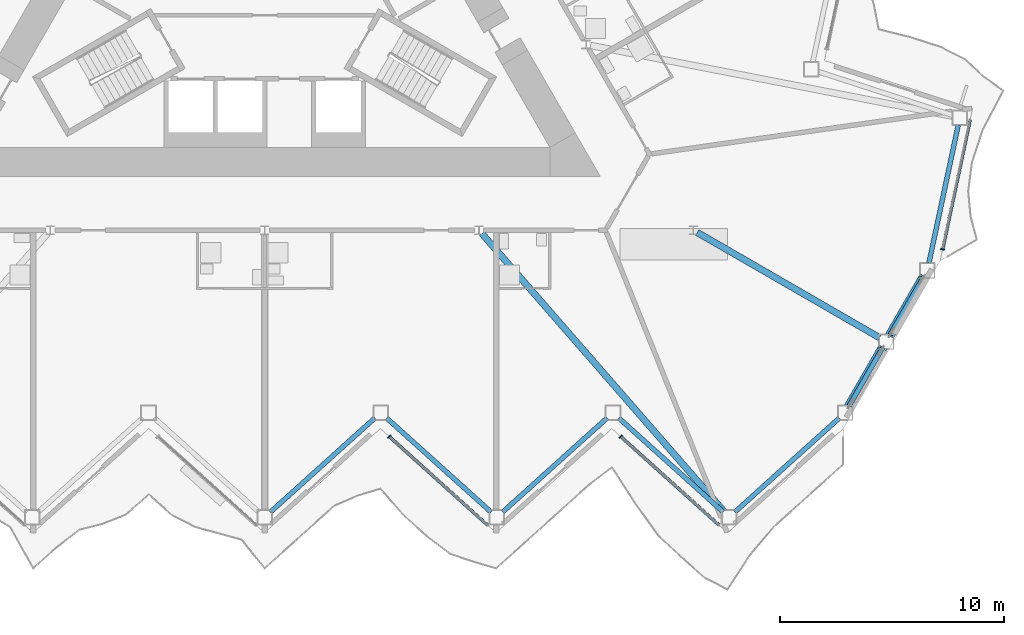
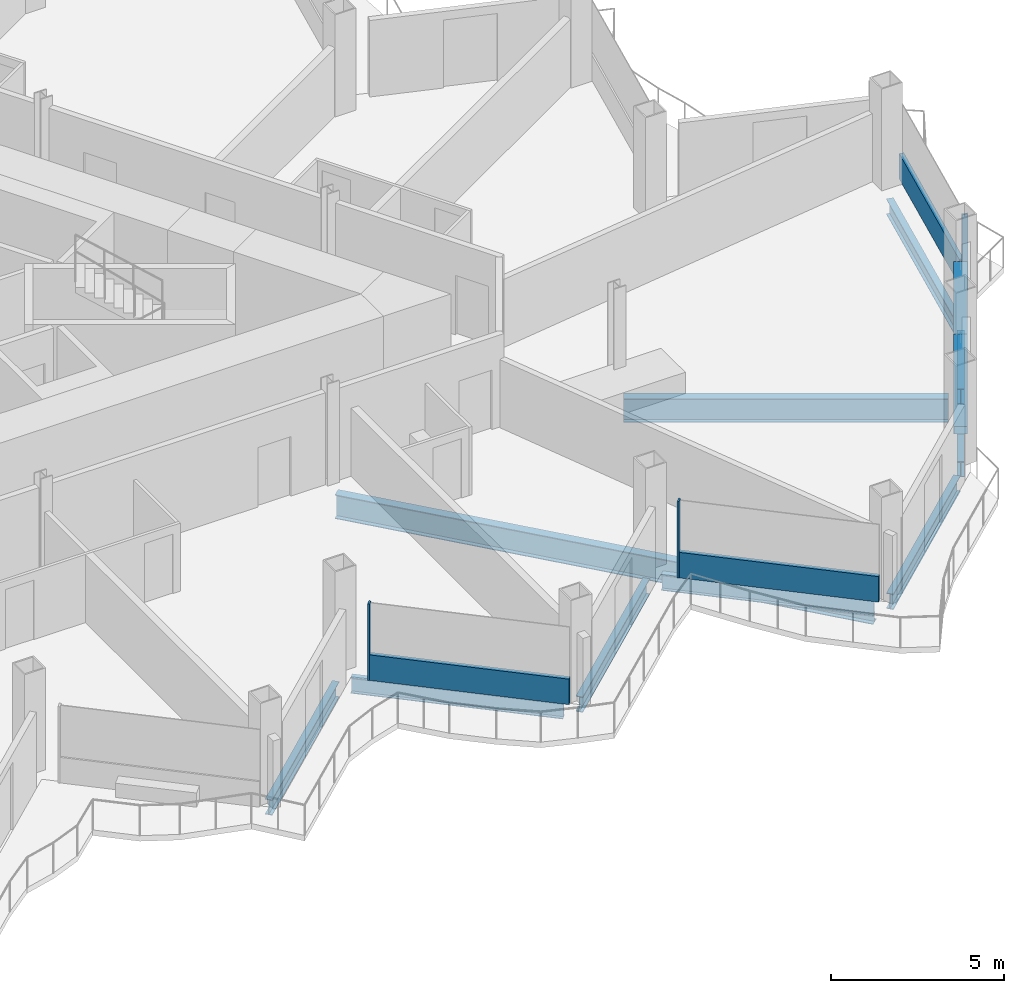
# One storey, part 6 of 24: 10 beams, 8 members, 3 elements without a shape of their own.
"""IFC4 building model written with IfcOpenShell, lengths in metres."""

from ifc_helpers import new_model, si_unit, direction, frame, origin, origin_2d, place, context, subcontext, project, spatial, rectangle, hollow_rectangle, i_section, extrude, material, layer, layer_set, material_profile, profile_set, type_object, element, aggregate, save


model = new_model("IFC4")

# Units and contexts
model_context = context("Model", 3, precision=1e-05, world=origin(), true_north=direction((0.0, 1.0)))
body_context = subcontext(model_context, "Body", "Model", "MODEL_VIEW")
ifc_project = project(units=[si_unit("LENGTHUNIT", "METRE"), si_unit("AREAUNIT", "SQUARE_METRE"), si_unit("VOLUMEUNIT", "CUBIC_METRE"), si_unit("PLANEANGLEUNIT", "RADIAN"), si_unit("MASSUNIT", "GRAM", prefix="KILO")], contexts=[model_context])

# Site, building, storey
site_placement = place(None, origin())
site = spatial("IfcSite", under=ifc_project, at=site_placement, CompositionType="ELEMENT")
building_placement = place(site_placement, origin())
building = spatial("IfcBuilding", under=site, at=building_placement, Name="Cormorant Prow Tower", CompositionType="ELEMENT")
storey_placement = place(building_placement, frame((0.0, 0.0, 234.60009765625)))
storey = spatial("IfcBuildingStorey", under=building, at=storey_placement, Name="L51", CompositionType="ELEMENT", Elevation=234.60009765625)

# Members
ifc_material_1 = material(Name="Structural steel ASTM A500 Gr C", Category="steel")
ifc_material_profile_1 = material_profile(ifc_material_1, hollow_rectangle(XDim=0.406494140625, YDim=0.406494140625, WallThickness=0.01171875, at=origin_2d()), Name="HSS16x16x1/2")
ifc_profile_set_1 = profile_set([ifc_material_profile_1], Name="Structural steel ASTM A500 Gr C")
member_type_1 = type_object("IfcMemberType", Name="Chamfer brace HSS16x16x1/2", PredefinedType="BRACE", material=ifc_profile_set_1)
for number, where, z_axis, x_axis, name in (
    (1, (26.1240234375, -18.898681640625, 0.74951171875), (0.462773096913, 0.801606962687, 0.378506721399), (-0.866041729639, 0.499971721724, 0.0), "Chamfer brace BR2 at ESE00 L51"),
    (2, (27.959228515625, -15.719970703125, 0.74951171875), (0.462773096913, 0.801606962687, 0.378506721399), (-0.866041729639, 0.499971721724, 0.0), "Chamfer brace BR2 at ESE01 L51"),
):
    element("IfcMember", number, at=place(storey_placement, frame(where, z_axis=z_axis, x_axis=x_axis)), inside=storey, type_object=member_type_1, Name=name, PredefinedType="BRACE", context=body_context, shape_type="SweptSolid", body=[
        extrude(hollow_rectangle(XDim=0.406494140625, YDim=0.406494140625, WallThickness=0.01171875, at=origin_2d()), origin(), (0.0, 0.0, 1.0), 3.17529296875),
    ])

# Curtain wall, member
ifc_material_2 = material(Name="Aluminium 6063-T6", Category="aluminium")
ifc_layer = layer(ifc_material_2, 0.179931640625)
ifc_layer_set = layer_set([ifc_layer], Name="Aluminium 6063-T6")
curtain_wall_type = type_object("IfcCurtainWallType", Name="Hotel unitised curtain wall 180", PredefinedType="NOTDEFINED", material=ifc_layer_set)
curtain_wall_1_placement = place(storey_placement, origin())
curtain_wall_1 = element("IfcCurtainWall", 3, at=curtain_wall_1_placement, inside=storey, type_object=curtain_wall_type, Name="Hotel curtain wall S06", PredefinedType="NOTDEFINED")
ifc_material_3 = material(Name="Aluminium 6063-T6", Category="aluminium")
ifc_material_profile_2 = material_profile(ifc_material_3, rectangle(XDim=0.179931640625, YDim=0.06005859375, at=origin_2d()), Name="Hotel mullion 60x180")
ifc_profile_set_2 = profile_set([ifc_material_profile_2], Name="Aluminium 6063-T6")
member_type_2 = type_object("IfcMemberType", Name="Hotel mullion 60x180", PredefinedType="MULLION", material=ifc_profile_set_2)
member_1_placement = place(storey_placement, frame((5.56640625, -20.278076171875, 0.0), z_axis=(0.0, 0.0, 1.0), x_axis=(0.669130639913, 0.743144795265, 0.0)))
member_1 = element("IfcMember", 4, at=member_1_placement, type_object=member_type_2, Name="Hotel mullion S06", PredefinedType="MULLION", context=body_context, shape_type="SweptSolid", body=[
    extrude(rectangle(XDim=0.179931640625, YDim=0.06005859375, at=origin_2d()), origin(), (0.0, 0.0, 1.0), 2.70068359375),
])

curtain_wall_2_placement = place(storey_placement, origin())
curtain_wall_2 = element("IfcCurtainWall", 5, at=curtain_wall_2_placement, inside=storey, type_object=curtain_wall_type, Name="Hotel curtain wall S08", PredefinedType="NOTDEFINED")
member_2_placement = place(storey_placement, frame((15.910400390625, -20.278076171875, 0.0), z_axis=(0.0, 0.0, 1.0), x_axis=(0.669130568473, 0.74314485959, 0.0)))
member_2 = element("IfcMember", 6, at=member_2_placement, type_object=member_type_2, Name="Hotel mullion S08", PredefinedType="MULLION", context=body_context, shape_type="SweptSolid", body=[
    extrude(rectangle(XDim=0.179931640625, YDim=0.06005859375, at=origin_2d()), origin(), (0.0, 0.0, 1.0), 2.70068359375),
])

curtain_wall_3_placement = place(storey_placement, origin())
curtain_wall_3 = element("IfcCurtainWall", 7, at=curtain_wall_3_placement, inside=storey, type_object=curtain_wall_type, Name="Hotel curtain wall ENE00", PredefinedType="NOTDEFINED")
member_3_placement = place(storey_placement, frame((30.2939453125, -11.9140625, 0.0), z_axis=(0.0, 0.0, 1.0), x_axis=(-0.978147610241, 0.207911646089, 0.0)))
member_3 = element("IfcMember", 8, at=member_3_placement, type_object=member_type_2, Name="Hotel mullion ENE00", PredefinedType="MULLION", context=body_context, shape_type="SweptSolid", body=[
    extrude(rectangle(XDim=0.179931640625, YDim=0.06005859375, at=origin_2d()), origin(), (0.0, 0.0, 1.0), 2.70068359375),
])

# Member
ifc_material_4 = material(Name="Terracotta", Category="masonry")
ifc_material_profile_3 = material_profile(ifc_material_4, rectangle(XDim=0.139892578125, YDim=0.89990234375, at=origin_2d()), Name="Hotel terracotta spandrel rail 140x900")
ifc_profile_set_3 = profile_set([ifc_material_profile_3], Name="Terracotta")
member_type_3 = type_object("IfcMemberType", Name="Hotel terracotta spandrel rail 140x900", PredefinedType="USERDEFINED", material=ifc_profile_set_3)
member_4_placement = place(storey_placement, frame((5.5888671875, -20.29833984375, 0.449951171875), z_axis=(0.743147975104, -0.669127108328, 0.0), x_axis=(0.669127108328, 0.743147975104, 0.0)))
member_4 = element("IfcMember", 9, at=member_4_placement, type_object=member_type_3, Name="Hotel spandrel rail S06", ObjectType="TRANSOM", PredefinedType="USERDEFINED", context=body_context, shape_type="SweptSolid", body=[
    extrude(rectangle(XDim=0.139892578125, YDim=0.89990234375, at=origin_2d()), origin(), (0.0, 0.0, 1.0), 5.897216796875),
])

aggregate(curtain_wall_1, [member_1, member_4])

member_5_placement = place(storey_placement, frame((15.9326171875, -20.29833984375, 0.449951171875), z_axis=(0.743147975104, -0.669127108328, 0.0), x_axis=(0.669127108328, 0.743147975104, 0.0)))
member_5 = element("IfcMember", 10, at=member_5_placement, type_object=member_type_3, Name="Hotel spandrel rail S08", ObjectType="TRANSOM", PredefinedType="USERDEFINED", context=body_context, shape_type="SweptSolid", body=[
    extrude(rectangle(XDim=0.139892578125, YDim=0.89990234375, at=origin_2d()), origin(), (0.0, 0.0, 1.0), 5.897216796875),
])

aggregate(curtain_wall_2, [member_2, member_5])

member_6_placement = place(storey_placement, frame((30.300048828125, -11.884765625, 0.449951171875), z_axis=(0.207900345408, 0.978150012206, 0.0), x_axis=(-0.978150012206, 0.207900345408, 0.0)))
member_6 = element("IfcMember", 11, at=member_6_placement, type_object=member_type_3, Name="Hotel spandrel rail ENE00", ObjectType="TRANSOM", PredefinedType="USERDEFINED", context=body_context, shape_type="SweptSolid", body=[
    extrude(rectangle(XDim=0.139892578125, YDim=0.89990234375, at=origin_2d()), origin(), (0.0, 0.0, 1.0), 5.8974609375),
])

aggregate(curtain_wall_3, [member_3, member_6])

# Beams
ifc_material_5 = material(Name="Structural steel ASTM A992 Gr 50", Category="steel")
ifc_material_profile_4 = material_profile(ifc_material_5, i_section(OverallWidth=0.29296875, OverallDepth=0.845703125, WebThickness=0.015380859375, FlangeThickness=0.0244140625, at=origin_2d()), Name="W33x141")
ifc_profile_set_4 = profile_set([ifc_material_profile_4], Name="Structural steel ASTM A992 Gr 50")
beam_type_1 = type_object("IfcBeamType", Name="Radial floor beam W33x141", PredefinedType="BEAM", material=ifc_profile_set_4)
beam_1_placement = place(storey_placement, frame((9.70947265625, -11.210693359375, -0.77294921875), z_axis=(0.656874593387, -0.753999846527, 0.0), x_axis=(0.753999846527, 0.656874593387, 0.0)))
element("IfcBeam", 12, at=beam_1_placement, inside=storey, type_object=beam_type_1, Name="Radial floor beam FB2 8 L51", PredefinedType="BEAM", context=body_context, shape_type="SweptSolid", body=[
    extrude(i_section(OverallWidth=0.29296875, OverallDepth=0.845703125, WebThickness=0.015380859375, FlangeThickness=0.0244140625, at=origin_2d()), origin(), (0.0, 0.0, 1.0), 16.4619140625),
])
beam_2_placement = place(storey_placement, frame((19.32958984375, -11.159912109375, -0.77294921875), z_axis=(0.866021726843, -0.500006368596, 0.0), x_axis=(0.500006368596, 0.866021726843, 0.0)))
element("IfcBeam", 13, at=beam_2_placement, inside=storey, type_object=beam_type_1, Name="Radial floor beam FB2 9 L51", PredefinedType="BEAM", context=body_context, shape_type="SweptSolid", body=[
    extrude(i_section(OverallWidth=0.29296875, OverallDepth=0.845703125, WebThickness=0.015380859375, FlangeThickness=0.0244140625, at=origin_2d()), origin(), (0.0, 0.0, 1.0), 9.40380859375),
])
ifc_material_6 = material(Name="Structural steel ASTM A992 Gr 50", Category="steel")
ifc_material_profile_5 = material_profile(ifc_material_6, i_section(OverallWidth=0.2138671875, OverallDepth=0.549072265625, WebThickness=0.0146484375, FlangeThickness=0.023681640625, at=origin_2d()), Name="W21x93")
ifc_profile_set_5 = profile_set([ifc_material_profile_5], Name="Structural steel ASTM A992 Gr 50")
beam_type_2 = type_object("IfcBeamType", Name="Spandrel beam W21x93", PredefinedType="SPANDREL", material=ifc_profile_set_5)
for number, where, z_axis, x_axis, name in (
    (14, (0.260009765625, -23.65283203125, -0.624755859375), (0.743156918576, 0.669117175368, 0.0), (-0.669117175368, 0.743156918576, 0.0), "Spandrel beam SB2 S05-S06 L51"),
    (15, (5.4482421875, -19.44970703125, -0.624755859375), (0.743156918576, -0.669117175368, 0.0), (0.669117175368, 0.743156918576, 0.0), "Spandrel beam SB2 S06-S07 L51"),
    (16, (10.636474609375, -23.65283203125, -0.624755859375), (0.743156918576, 0.669117175368, 0.0), (-0.669117175368, 0.743156918576, 0.0), "Spandrel beam SB2 S07-S08 L51"),
    (17, (15.82470703125, -19.44970703125, -0.624755859375), (0.743156918576, -0.669117175368, 0.0), (0.669117175368, 0.743156918576, 0.0), "Spandrel beam SB2 S08-S09 L51"),
    (18, (21.012939453125, -23.65283203125, -0.624755859375), (0.743156918576, 0.669117175368, 0.0), (-0.669117175368, 0.743156918576, 0.0), "Spandrel beam SB2 S09-ESE00 L51"),
):
    element("IfcBeam", number, at=place(storey_placement, frame(where, z_axis=z_axis, x_axis=x_axis)), inside=storey, type_object=beam_type_2, Name=name, PredefinedType="SPANDREL", context=body_context, shape_type="SweptSolid", body=[
        extrude(i_section(OverallWidth=0.2138671875, OverallDepth=0.549072265625, WebThickness=0.0146484375, FlangeThickness=0.023681640625, at=origin_2d()), origin(), (0.0, 0.0, 1.0), 6.281494140625),
    ])
for number, where, z_axis, x_axis, name in (
    (19, (26.1162109375, -18.912353515625, -0.624755859375), (0.499966725515, 0.866044613965, 0.0), (-0.866044613965, 0.499966725515, 0.0), "Spandrel beam SB2 ESE00-ESE01 L51"),
    (20, (27.951416015625, -15.733642578125, -0.624755859375), (0.499966725515, 0.866044613965, 0.0), (-0.866044613965, 0.499966725515, 0.0), "Spandrel beam SB2 ESE01-ENE00 L51"),
):
    element("IfcBeam", number, at=place(storey_placement, frame(where, z_axis=z_axis, x_axis=x_axis)), inside=storey, type_object=beam_type_2, Name=name, PredefinedType="SPANDREL", context=body_context, shape_type="SweptSolid", body=[
        extrude(i_section(OverallWidth=0.2138671875, OverallDepth=0.549072265625, WebThickness=0.0146484375, FlangeThickness=0.023681640625, at=origin_2d()), origin(), (0.0, 0.0, 1.0), 2.970458984375),
    ])
beam_3_placement = place(storey_placement, frame((29.684326171875, -12.515625, -0.624755859375), z_axis=(0.207941499013, 0.978141264331, 0.0), x_axis=(-0.978141264331, 0.207941499013, 0.0)))
element("IfcBeam", 21, at=beam_3_placement, inside=storey, type_object=beam_type_2, Name="Spandrel beam SB2 ENE00-ENE01 L51", PredefinedType="SPANDREL", context=body_context, shape_type="SweptSolid", body=[
    extrude(i_section(OverallWidth=0.2138671875, OverallDepth=0.549072265625, WebThickness=0.0146484375, FlangeThickness=0.023681640625, at=origin_2d()), origin(), (0.0, 0.0, 1.0), 6.28125),
])

save(model, "model.ifc")
